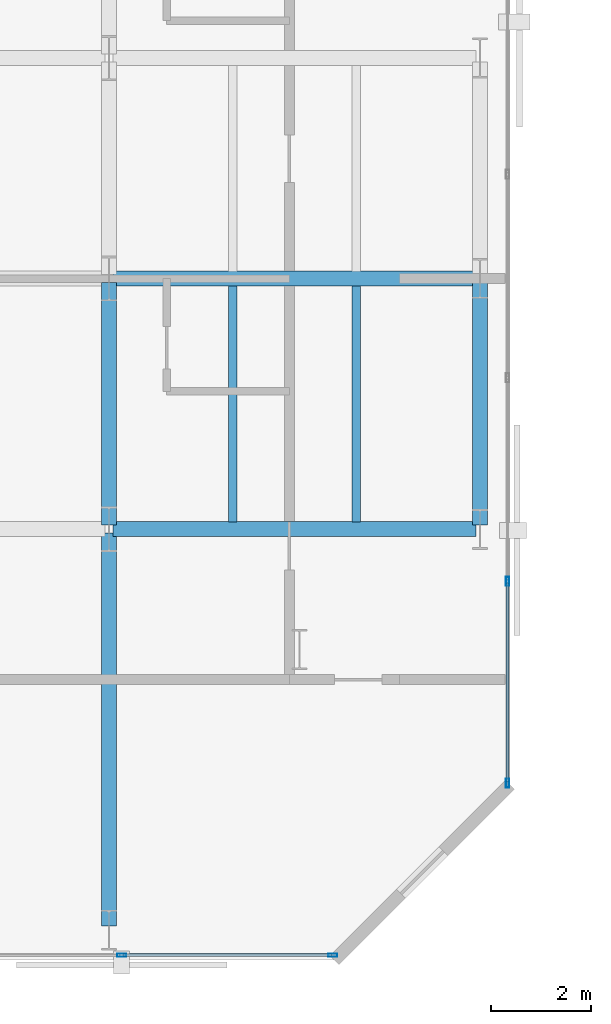
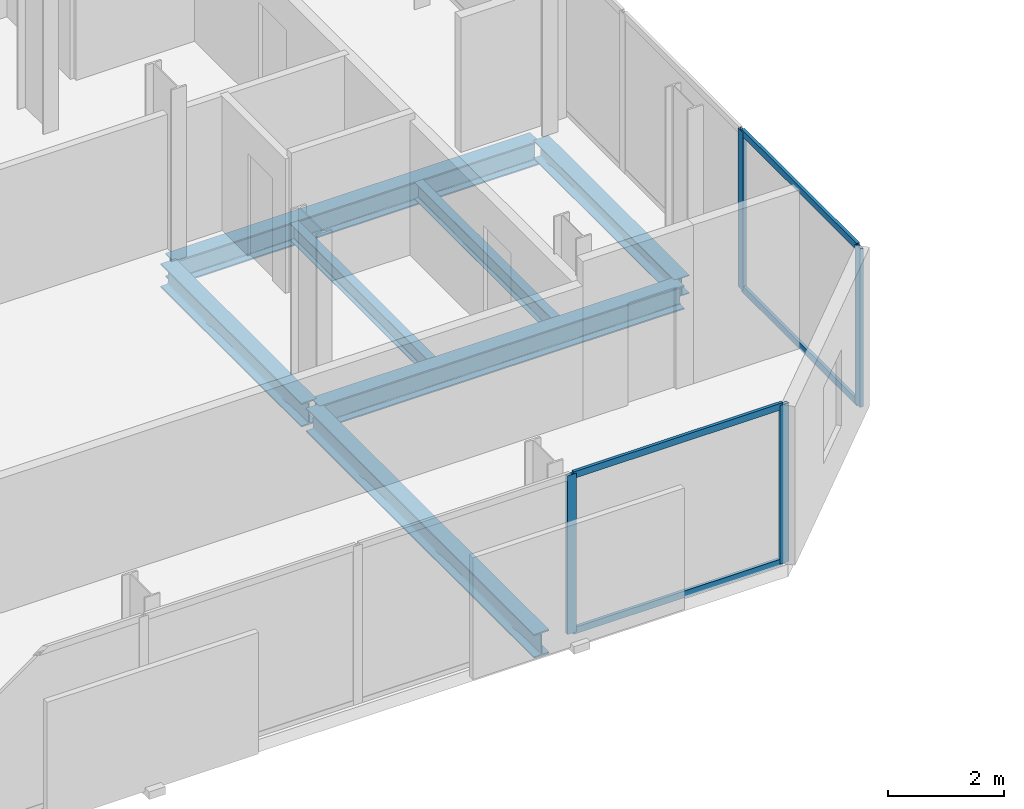
# One storey, part 7 of 33: 8 members, 7 beams, 2 elements without a shape of their own.
"""IFC4 building model written with IfcOpenShell, lengths in metres."""

from ifc_helpers import new_model, si_unit, direction, frame, origin, origin_2d, place, context, subcontext, project, spatial, hollow_rectangle, i_section, extrude, material, layer, layer_set, material_profile, profile_set, type_object, element, aggregate, save


model = new_model("IFC4")

# Units and contexts
model_context = context("Model", 3, precision=1e-05, world=origin(), true_north=direction((0.0, 1.0)))
body_context = subcontext(model_context, "Body", "Model", "MODEL_VIEW")
ifc_project = project(units=[si_unit("LENGTHUNIT", "METRE"), si_unit("AREAUNIT", "SQUARE_METRE"), si_unit("VOLUMEUNIT", "CUBIC_METRE"), si_unit("PLANEANGLEUNIT", "RADIAN"), si_unit("MASSUNIT", "GRAM", prefix="KILO")], contexts=[model_context])

# Site, building, storey
site_placement = place(None, origin())
site = spatial("IfcSite", under=ifc_project, at=site_placement, CompositionType="ELEMENT")
building_placement = place(site_placement, origin())
building = spatial("IfcBuilding", under=site, at=building_placement, Name="Catumbela Crestline Tower", CompositionType="ELEMENT")
storey_placement = place(building_placement, frame((0.0, 0.0, 47.4)))
storey = spatial("IfcBuildingStorey", under=building, at=storey_placement, Name="L11", CompositionType="ELEMENT", Elevation=47.4)

# Beams
ifc_material_1 = material(Name="Structural steel S355J2", Category="steel")
ifc_material_profile_1 = material_profile(ifc_material_1, i_section(OverallWidth=0.3, OverallDepth=0.5, WebThickness=0.0145, FlangeThickness=0.028, FilletRadius=0.027, at=origin_2d()), Name="HEB 500")
ifc_profile_set_1 = profile_set([ifc_material_profile_1], Name="Structural steel S355J2")
beam_type_1 = type_object("IfcBeamType", Name="BG-HEB500", PredefinedType="BEAM", material=ifc_profile_set_1)
for number, where, z_axis, x_axis, name in (
    (1, (16.08, 8.6, -0.51), (1.0, 0.0, 0.0), (0.0, 1.0, 0.0), "L11 Beam BM-L11-WEW50"),
    (2, (16.08, 13.6, -0.51), (1.0, 0.0, 0.0), (0.0, 1.0, 0.0), "L11 Beam BM-L11-WEW53"),
):
    element("IfcBeam", number, at=place(storey_placement, frame(where, z_axis=z_axis, x_axis=x_axis)), inside=storey, type_object=beam_type_1, Name=name, PredefinedType="BEAM", context=body_context, shape_type="SweptSolid", body=[
        extrude(i_section(OverallWidth=0.3, OverallDepth=0.5, WebThickness=0.0145, FlangeThickness=0.028, FilletRadius=0.027, at=origin_2d()), origin(), (0.0, 0.0, 1.0), 7.24),
    ])
beam_1_placement = place(storey_placement, frame((16.0, 0.68, -0.51), z_axis=(0.0, 1.0, 0.0), x_axis=(-1.0, 0.0, 0.0)))
element("IfcBeam", 3, at=beam_1_placement, inside=storey, type_object=beam_type_1, Name="L11 Beam BM-L11-WNS64", PredefinedType="BEAM", context=body_context, shape_type="SweptSolid", body=[
    extrude(i_section(OverallWidth=0.3, OverallDepth=0.5, WebThickness=0.0145, FlangeThickness=0.028, FilletRadius=0.027, at=origin_2d()), origin(), (0.0, 0.0, 1.0), 7.84),
])
beam_2_placement = place(storey_placement, frame((16.0, 8.68, -0.51), z_axis=(0.0, 1.0, 0.0), x_axis=(-1.0, 0.0, 0.0)))
element("IfcBeam", 4, at=beam_2_placement, inside=storey, type_object=beam_type_1, Name="L11 Beam BM-L11-WNS65", PredefinedType="BEAM", context=body_context, shape_type="SweptSolid", body=[
    extrude(i_section(OverallWidth=0.3, OverallDepth=0.5, WebThickness=0.0145, FlangeThickness=0.028, FilletRadius=0.027, at=origin_2d()), origin(), (0.0, 0.0, 1.0), 4.84),
])
ifc_material_profile_2 = material_profile(ifc_material_1, i_section(OverallWidth=0.17, OverallDepth=0.36, WebThickness=0.008, FlangeThickness=0.0127, FilletRadius=0.018, at=origin_2d()), Name="IPE 360")
ifc_profile_set_2 = profile_set([ifc_material_profile_2], Name="Structural steel S355J2")
beam_type_2 = type_object("IfcBeamType", Name="BJ-IPE360", PredefinedType="JOIST", material=ifc_profile_set_2)
for number, where, z_axis, x_axis, name in (
    (5, (18.467, 8.747, -0.44), (0.0, 1.0, 0.0), (-1.0, 0.0, 0.0), "L11 Joist JS-L11-WG74"),
    (6, (20.933, 8.747, -0.44), (0.0, 1.0, 0.0), (-1.0, 0.0, 0.0), "L11 Joist JS-L11-WG75"),
):
    element("IfcBeam", number, at=place(storey_placement, frame(where, z_axis=z_axis, x_axis=x_axis)), inside=storey, type_object=beam_type_2, Name=name, PredefinedType="JOIST", context=body_context, shape_type="SweptSolid", body=[
        extrude(i_section(OverallWidth=0.17, OverallDepth=0.36, WebThickness=0.008, FlangeThickness=0.0127, FilletRadius=0.018, at=origin_2d()), origin(), (0.0, 0.0, 1.0), 4.706),
    ])

# Curtain wall, members
ifc_material_2 = material(Name="Aluminium alloy AW-6060-T66", Category="aluminium")
ifc_layer = layer(ifc_material_2, 0.18, Name="Aluminium alloy AW-6060-T66")
ifc_layer_set = layer_set([ifc_layer], Name="Aluminium alloy AW-6060-T66")
curtain_wall_type = type_object("IfcCurtainWallType", Name="CWU-Z1", PredefinedType="USERDEFINED", material=ifc_layer_set)
curtain_wall_1_placement = place(storey_placement, origin())
curtain_wall_1 = element("IfcCurtainWall", 7, at=curtain_wall_1_placement, inside=storey, type_object=curtain_wall_type, Name="L11 Unitised Curtain Wall CW-L11-E0S1", ObjectType="UNITISED", PredefinedType="USERDEFINED")
ifc_material_profile_3 = material_profile(ifc_material_2, hollow_rectangle(XDim=0.065, YDim=0.18, WallThickness=0.004, at=origin_2d()), Name="ALU 180x65x4")
ifc_profile_set_3 = profile_set([ifc_material_profile_3], Name="Aluminium alloy AW-6060-T66")
member_type_1 = type_object("IfcMemberType", Name="MUL-180X65", PredefinedType="MULLION", material=ifc_profile_set_3)
member_1_placement = place(storey_placement, frame((16.25, 0.1, 0.0), z_axis=(0.0, 0.0, 1.0), x_axis=(0.0, 1.0, 0.0)))
member_1 = element("IfcMember", 8, at=member_1_placement, type_object=member_type_1, Name="CWU-Z1 mullion 4", PredefinedType="MULLION", context=body_context, shape_type="SweptSolid", body=[
    extrude(hollow_rectangle(XDim=0.065, YDim=0.18, WallThickness=0.004, at=origin_2d()), origin(), (0.0, 0.0, 1.0), 3.33),
])
member_2_placement = place(storey_placement, frame((20.4675, 0.1, 0.0), z_axis=(0.0, 0.0, 1.0), x_axis=(0.0, 1.0, 0.0)))
member_2 = element("IfcMember", 9, at=member_2_placement, type_object=member_type_1, Name="CWU-Z1 mullion 5", PredefinedType="MULLION", context=body_context, shape_type="SweptSolid", body=[
    extrude(hollow_rectangle(XDim=0.065, YDim=0.18, WallThickness=0.004, at=origin_2d()), origin(), (0.0, 0.0, 1.0), 3.33),
])

curtain_wall_2_placement = place(storey_placement, origin())
curtain_wall_2 = element("IfcCurtainWall", 10, at=curtain_wall_2_placement, inside=storey, type_object=curtain_wall_type, Name="L11 Unitised Curtain Wall CW-L11-E2S1", ObjectType="UNITISED", PredefinedType="USERDEFINED")
member_3_placement = place(storey_placement, frame((23.95, 3.5325, 0.0), z_axis=(0.0, 0.0, 1.0), x_axis=(-1.0, 0.0, 0.0)))
member_3 = element("IfcMember", 11, at=member_3_placement, type_object=member_type_1, Name="CWU-Z1 mullion 1", PredefinedType="MULLION", context=body_context, shape_type="SweptSolid", body=[
    extrude(hollow_rectangle(XDim=0.065, YDim=0.18, WallThickness=0.004, at=origin_2d()), origin(), (0.0, 0.0, 1.0), 3.33),
])
member_4_placement = place(storey_placement, frame((23.95, 7.56, 0.0), z_axis=(0.0, 0.0, 1.0), x_axis=(-1.0, 0.0, 0.0)))
member_4 = element("IfcMember", 12, at=member_4_placement, type_object=member_type_1, Name="CWU-Z1 mullion 2", PredefinedType="MULLION", context=body_context, shape_type="SweptSolid", body=[
    extrude(hollow_rectangle(XDim=0.065, YDim=0.18, WallThickness=0.004, at=origin_2d()), origin(), (0.0, 0.0, 1.0), 3.33),
])

# Beam
ifc_material_profile_4 = material_profile(ifc_material_1, i_section(OverallWidth=0.3, OverallDepth=0.39, WebThickness=0.011, FlangeThickness=0.019, FilletRadius=0.027, at=origin_2d()), Name="HEA 400")
ifc_profile_set_4 = profile_set([ifc_material_profile_4], Name="Structural steel S355J2")
beam_type_3 = type_object("IfcBeamType", Name="BS-HEA400", PredefinedType="SPANDREL", material=ifc_profile_set_4)
beam_3_placement = place(storey_placement, frame((23.4, 8.68, -0.455), z_axis=(0.0, 1.0, 0.0), x_axis=(-1.0, 0.0, 0.0)))
element("IfcBeam", 13, at=beam_3_placement, inside=storey, type_object=beam_type_3, Name="L11 Spandrel SP-L11-WNS68", PredefinedType="SPANDREL", context=body_context, shape_type="SweptSolid", body=[
    extrude(i_section(OverallWidth=0.3, OverallDepth=0.39, WebThickness=0.011, FlangeThickness=0.019, FilletRadius=0.027, at=origin_2d()), origin(), (0.0, 0.0, 1.0), 4.84),
])

# Member
ifc_material_profile_5 = material_profile(ifc_material_2, hollow_rectangle(XDim=0.06, YDim=0.14, WallThickness=0.004, at=origin_2d()), Name="ALU 140x60x4")
ifc_profile_set_5 = profile_set([ifc_material_profile_5], Name="Aluminium alloy AW-6060-T66")
member_type_2 = type_object("IfcMemberType", Name="TRN-140X60", PredefinedType="USERDEFINED", material=ifc_profile_set_5)
member_5_placement = place(storey_placement, frame((16.2825, 0.1, 0.03), z_axis=(1.0, 0.0, 0.0), x_axis=(0.0, 1.0, 0.0)))
member_5 = element("IfcMember", 14, at=member_5_placement, type_object=member_type_2, Name="CWU-Z1 transom 4.1", ObjectType="TRANSOM", PredefinedType="USERDEFINED", context=body_context, shape_type="SweptSolid", body=[
    extrude(hollow_rectangle(XDim=0.06, YDim=0.14, WallThickness=0.004, at=origin_2d()), origin(), (0.0, 0.0, 1.0), 4.1525),
])

member_6_placement = place(storey_placement, frame((16.2825, 0.1, 3.3), z_axis=(1.0, 0.0, 0.0), x_axis=(0.0, 1.0, 0.0)))
member_6 = element("IfcMember", 15, at=member_6_placement, type_object=member_type_2, Name="CWU-Z1 transom 4.2", ObjectType="TRANSOM", PredefinedType="USERDEFINED", context=body_context, shape_type="SweptSolid", body=[
    extrude(hollow_rectangle(XDim=0.06, YDim=0.14, WallThickness=0.004, at=origin_2d()), origin(), (0.0, 0.0, 1.0), 4.1525),
])

aggregate(curtain_wall_1, [member_1, member_2, member_5, member_6])

member_7_placement = place(storey_placement, frame((23.95, 3.565, 0.03), z_axis=(0.0, 1.0, 0.0), x_axis=(-1.0, 0.0, 0.0)))
member_7 = element("IfcMember", 16, at=member_7_placement, type_object=member_type_2, Name="CWU-Z1 transom 1.1", ObjectType="TRANSOM", PredefinedType="USERDEFINED", context=body_context, shape_type="SweptSolid", body=[
    extrude(hollow_rectangle(XDim=0.06, YDim=0.14, WallThickness=0.004, at=origin_2d()), origin(), (0.0, 0.0, 1.0), 3.9625),
])

member_8_placement = place(storey_placement, frame((23.95, 3.565, 3.3), z_axis=(0.0, 1.0, 0.0), x_axis=(-1.0, 0.0, 0.0)))
member_8 = element("IfcMember", 17, at=member_8_placement, type_object=member_type_2, Name="CWU-Z1 transom 1.2", ObjectType="TRANSOM", PredefinedType="USERDEFINED", context=body_context, shape_type="SweptSolid", body=[
    extrude(hollow_rectangle(XDim=0.06, YDim=0.14, WallThickness=0.004, at=origin_2d()), origin(), (0.0, 0.0, 1.0), 3.9625),
])

aggregate(curtain_wall_2, [member_3, member_4, member_7, member_8])

save(model, "model.ifc")
